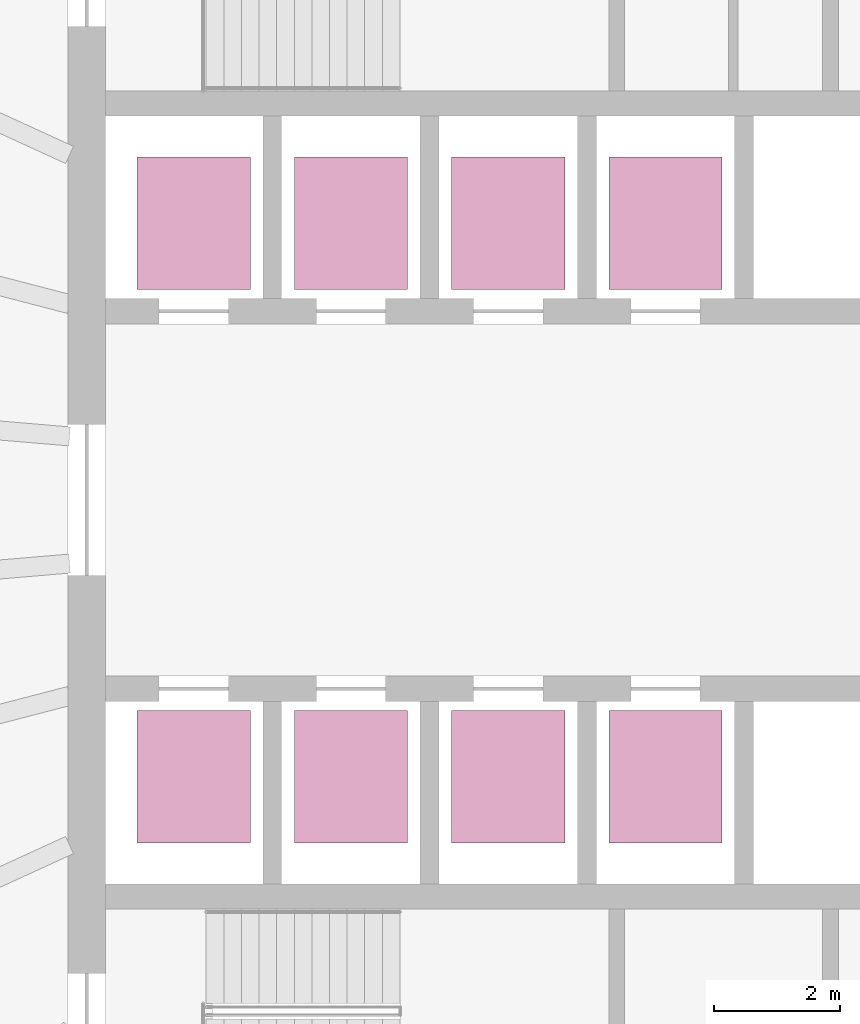
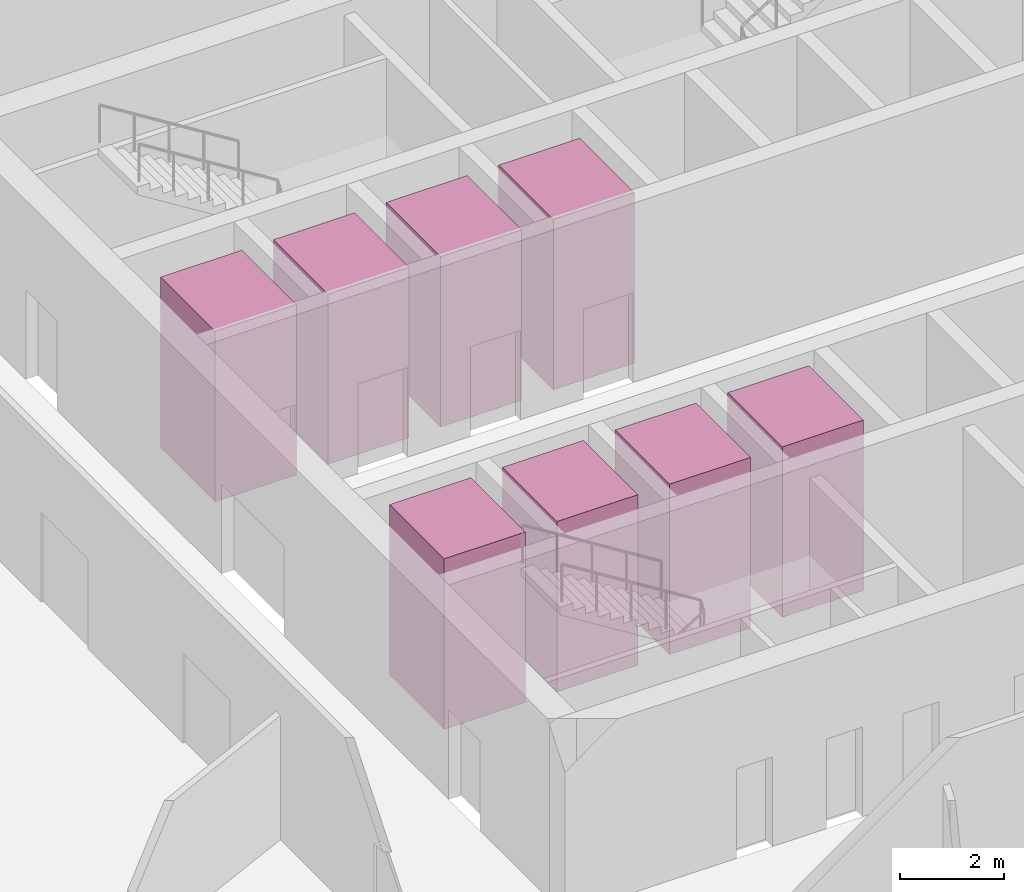
# One storey, part 11 of 11: 8 transport elements.
"""IFC4 building model written with IfcOpenShell, lengths in metres."""

from ifc_helpers import new_model, si_unit, direction, frame, origin, origin_2d, place, context, subcontext, project, spatial, rectangle, extrude, material, type_object, element, save


model = new_model("IFC4")

# Units and contexts
model_context = context("Model", 3, precision=1e-05, world=origin(), true_north=direction((0.0, 1.0)))
body_context = subcontext(model_context, "Body", "Model", "MODEL_VIEW")
ifc_project = project(units=[si_unit("LENGTHUNIT", "METRE"), si_unit("AREAUNIT", "SQUARE_METRE"), si_unit("VOLUMEUNIT", "CUBIC_METRE"), si_unit("PLANEANGLEUNIT", "RADIAN"), si_unit("MASSUNIT", "GRAM", prefix="KILO")], contexts=[model_context])

# Site, building, storey
site_placement = place(None, origin())
site = spatial("IfcSite", under=ifc_project, at=site_placement, CompositionType="ELEMENT")
building_placement = place(site_placement, origin())
building = spatial("IfcBuilding", under=site, at=building_placement, Name="Halqa Exchange Tower", CompositionType="ELEMENT")
storey_placement = place(building_placement, frame((0.0, 0.0, 36.10009765625)))
storey = spatial("IfcBuildingStorey", under=building, at=storey_placement, Name="L07", CompositionType="ELEMENT", Elevation=36.10009765625)

# Transport elements
ifc_material = material(Name="Stainless steel", Category="steel")
transport_element_type = type_object("IfcTransportElementType", Name="Low-rise passenger lift 1800 x 2100", PredefinedType="ELEVATOR", material=ifc_material)
for number, where, z_axis, x_axis, name in (
    (1, (-10.0, 4.39990234375, 0.0), (0.0, 0.0, 1.0), (1.0, 0.0, 0.0), "Low-rise passenger lift LR1"),
    (2, (-7.5, 4.39990234375, 0.0), (0.0, 0.0, 1.0), (1.0, 0.0, 0.0), "Low-rise passenger lift LR2"),
    (3, (-5.0, 4.39990234375, 0.0), (0.0, 0.0, 1.0), (1.0, 0.0, 0.0), "Low-rise passenger lift LR3"),
    (4, (-2.5, 4.39990234375, 0.0), (0.0, 0.0, 1.0), (1.0, 0.0, 0.0), "Low-rise passenger lift LR4"),
    (5, (-10.0, -4.39990234375, 0.0), (0.0, 0.0, 1.0), (1.0, 0.0, 0.0), "Low-rise passenger lift LR5"),
    (6, (-7.5, -4.39990234375, 0.0), (0.0, 0.0, 1.0), (1.0, 0.0, 0.0), "Low-rise passenger lift LR6"),
    (7, (-5.0, -4.39990234375, 0.0), (0.0, 0.0, 1.0), (1.0, 0.0, 0.0), "Low-rise passenger lift LR7"),
    (8, (-2.5, -4.39990234375, 0.0), (0.0, 0.0, 1.0), (1.0, 0.0, 0.0), "Low-rise passenger lift LR8"),
):
    element("IfcTransportElement", number, at=place(storey_placement, frame(where, z_axis=z_axis, x_axis=x_axis)), inside=storey, type_object=transport_element_type, Name=name, PredefinedType="ELEVATOR", context=body_context, shape_type="SweptSolid", body=[
        extrude(rectangle(XDim=1.800048828125, YDim=2.10009765625, at=origin_2d()), origin(), (0.0, 0.0, 1.0), 4.0),
    ])

save(model, "model.ifc")
